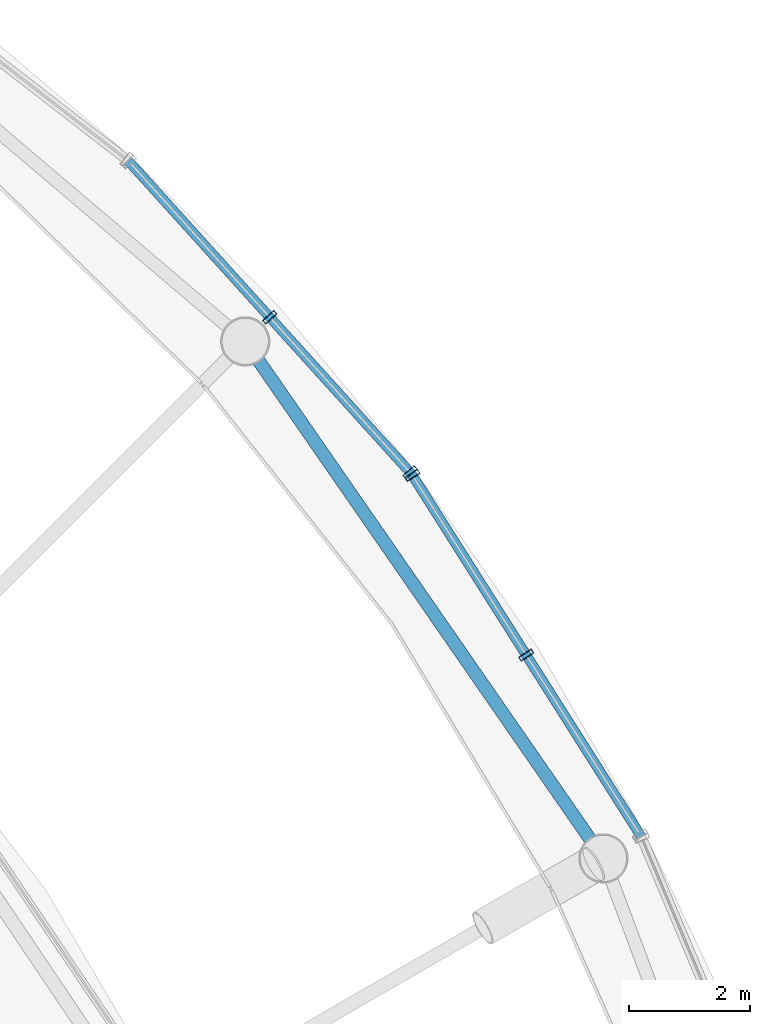
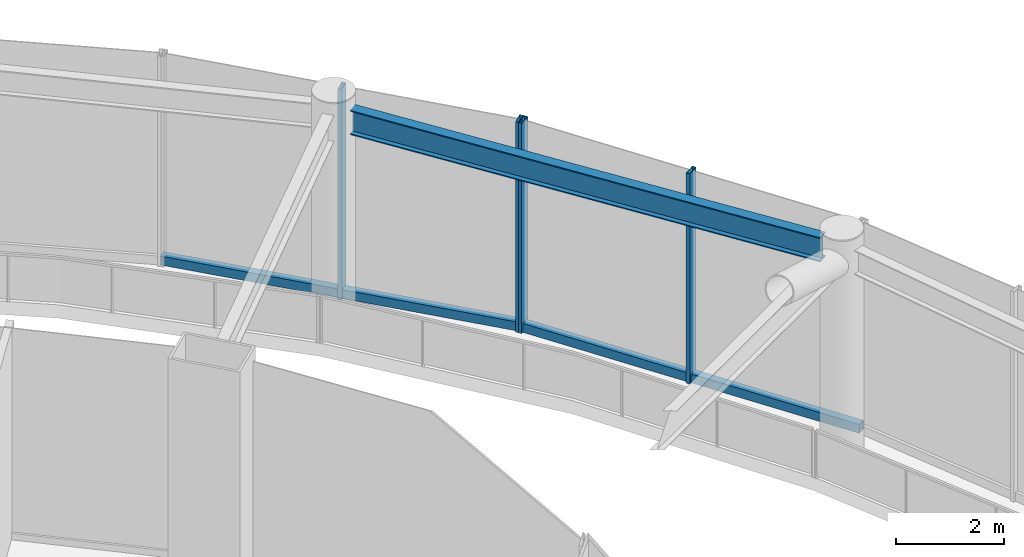
# One storey, part 40 of 52: 6 members, 1 beam, 2 elements without a shape of their own.
"""IFC4 building model written with IfcOpenShell, lengths in metres."""

from ifc_helpers import new_model, si_unit, direction, frame, origin, origin_2d, place, context, subcontext, project, spatial, hollow_rectangle, i_section, extrude, material, layer, layer_set, material_profile, profile_set, type_object, element, aggregate, save


model = new_model("IFC4")

# Units and contexts
model_context = context("Model", 3, precision=1e-05, world=origin(), true_north=direction((0.0, 1.0)))
body_context = subcontext(model_context, "Body", "Model", "MODEL_VIEW")
ifc_project = project(units=[si_unit("LENGTHUNIT", "METRE"), si_unit("AREAUNIT", "SQUARE_METRE"), si_unit("VOLUMEUNIT", "CUBIC_METRE"), si_unit("PLANEANGLEUNIT", "RADIAN"), si_unit("MASSUNIT", "GRAM", prefix="KILO")], contexts=[model_context])

# Site, building, storey
site_placement = place(None, origin())
site = spatial("IfcSite", under=ifc_project, at=site_placement, CompositionType="ELEMENT")
building_placement = place(site_placement, origin())
building = spatial("IfcBuilding", under=site, at=building_placement, Name="Nagisa Residences", CompositionType="ELEMENT")
storey_placement = place(building_placement, frame((0.0, 0.0, 22.0)))
storey = spatial("IfcBuildingStorey", under=building, at=storey_placement, Name="L04", CompositionType="ELEMENT", Elevation=22.0)

# Beam
ifc_material_1 = material(Name="Steel ASTM A572 Gr 50", Category="steel")
ifc_material_profile_1 = material_profile(ifc_material_1, i_section(OverallWidth=0.214111328125, OverallDepth=0.549072265625, WebThickness=0.0146484375, FlangeThickness=0.023681640625, at=origin_2d()), Name="W530x138")
ifc_profile_set_1 = profile_set([ifc_material_profile_1], Name="Steel ASTM A572 Gr 50")
beam_type = type_object("IfcBeamType", Name="Atrium ring beam W530x138", PredefinedType="BEAM", material=ifc_profile_set_1)
beam_placement = place(storey_placement, frame((35.595947265625, 20.917724609375, 4.4755859375), z_axis=(-0.569488756983, 0.821999121453, 0.0), x_axis=(-0.821999121453, -0.569488756983, 0.0)))
element("IfcBeam", 1, at=beam_placement, inside=storey, type_object=beam_type, Name="beam:L04:rab03", PredefinedType="BEAM", context=body_context, shape_type="SweptSolid", body=[
    extrude(i_section(OverallWidth=0.214111328125, OverallDepth=0.549072265625, WebThickness=0.0146484375, FlangeThickness=0.023681640625, at=origin_2d()), origin(), (0.0, 0.0, 1.0), 9.607666015625),
])

# Curtain wall, members
ifc_material_2 = material(Name="Stainless steel curtain wall system", Category="steel")
ifc_layer = layer(ifc_material_2, 0.159912109375)
ifc_layer_set = layer_set([ifc_layer], Name="CW3 CURTAIN WALL")
curtain_wall_type = type_object("IfcCurtainWallType", Name="CW3 CURTAIN WALL", PredefinedType="NOTDEFINED", material=ifc_layer_set)
curtain_wall_1_placement = place(storey_placement, origin())
curtain_wall_1 = element("IfcCurtainWall", 2, at=curtain_wall_1_placement, inside=storey, type_object=curtain_wall_type, Name="cw:CW3:L04:03", PredefinedType="NOTDEFINED")
ifc_material_3 = material(Name="Stainless steel", Category="steel")
ifc_material_profile_2 = material_profile(ifc_material_3, hollow_rectangle(XDim=0.25, YDim=0.080078125, WallThickness=0.008056640625, at=origin_2d()), Name="CW3 MULLION 250x80")
ifc_profile_set_2 = profile_set([ifc_material_profile_2], Name="Stainless steel")
member_type_1 = type_object("IfcMemberType", Name="CW3 MULLION 250x80", PredefinedType="MULLION", material=ifc_profile_set_2)
member_1_placement = place(storey_placement, frame((34.541748046875, 23.955810546875, 0.0), z_axis=(0.0, 0.0, 1.0), x_axis=(-0.844747368001, -0.535165286856, 0.0)))
member_1 = element("IfcMember", 3, at=member_1_placement, type_object=member_type_1, Name="CW3 mullion", PredefinedType="MULLION", context=body_context, shape_type="SweptSolid", body=[
    extrude(hollow_rectangle(XDim=0.25, YDim=0.080078125, WallThickness=0.008056640625, at=origin_2d()), origin(), (0.0, 0.0, 1.0), 4.739990234375),
])
member_2_placement = place(storey_placement, frame((32.66357421875, 26.92041015625, 0.0), z_axis=(0.0, 0.0, 1.0), x_axis=(-0.844747368001, -0.535165286856, 0.0)))
member_2 = element("IfcMember", 4, at=member_2_placement, type_object=member_type_1, Name="CW3 mullion", PredefinedType="MULLION", context=body_context, shape_type="SweptSolid", body=[
    extrude(hollow_rectangle(XDim=0.25, YDim=0.080078125, WallThickness=0.008056640625, at=origin_2d()), origin(), (0.0, 0.0, 1.0), 4.739990234375),
])

curtain_wall_2_placement = place(storey_placement, origin())
curtain_wall_2 = element("IfcCurtainWall", 5, at=curtain_wall_2_placement, inside=storey, type_object=curtain_wall_type, Name="cw:CW3:L04:04", PredefinedType="NOTDEFINED")
member_3_placement = place(storey_placement, frame((32.62353515625, 26.97314453125, 0.0), z_axis=(0.0, 0.0, 1.0), x_axis=(-0.741535779122, -0.670913323971, 0.0)))
member_3 = element("IfcMember", 6, at=member_3_placement, type_object=member_type_1, Name="CW3 mullion", PredefinedType="MULLION", context=body_context, shape_type="SweptSolid", body=[
    extrude(hollow_rectangle(XDim=0.25, YDim=0.080078125, WallThickness=0.008056640625, at=origin_2d()), origin(), (0.0, 0.0, 1.0), 4.739990234375),
])
member_4_placement = place(storey_placement, frame((30.30859375, 29.53173828125, 0.0), z_axis=(0.0, 0.0, 1.0), x_axis=(-0.741535779122, -0.670913323971, 0.0)))
member_4 = element("IfcMember", 7, at=member_4_placement, type_object=member_type_1, Name="CW3 mullion", PredefinedType="MULLION", context=body_context, shape_type="SweptSolid", body=[
    extrude(hollow_rectangle(XDim=0.25, YDim=0.080078125, WallThickness=0.008056640625, at=origin_2d()), origin(), (0.0, 0.0, 1.0), 4.739990234375),
])

# Member
ifc_material_4 = material(Name="Stainless steel", Category="steel")
ifc_material_profile_3 = material_profile(ifc_material_4, hollow_rectangle(XDim=0.159912109375, YDim=0.199951171875, WallThickness=0.008056640625, at=origin_2d()), Name="CW3 TRANSOM 160x200")
ifc_profile_set_3 = profile_set([ifc_material_profile_3], Name="Stainless steel")
member_type_2 = type_object("IfcMemberType", Name="CW3 TRANSOM 160x200", PredefinedType="USERDEFINED", material=ifc_profile_set_3)
member_5_placement = place(storey_placement, frame((36.44140625, 20.957275390625, 0.10009765625), z_axis=(-0.535169889444, 0.844744452147, 0.0), x_axis=(-0.844744452147, -0.535169889444, 0.0)))
member_5 = element("IfcMember", 8, at=member_5_placement, type_object=member_type_2, Name="CW3 transom", ObjectType="TRANSOM", PredefinedType="USERDEFINED", context=body_context, shape_type="SweptSolid", body=[
    extrude(hollow_rectangle(XDim=0.159912109375, YDim=0.199951171875, WallThickness=0.008056640625, at=origin_2d()), origin(), (0.0, 0.0, 1.0), 7.099365234375),
])

aggregate(curtain_wall_1, [member_1, member_2, member_5])

member_6_placement = place(storey_placement, frame((32.650390625, 26.943359375, 0.10009765625), z_axis=(-0.670921565259, 0.741528322635, 0.0), x_axis=(-0.741528322635, -0.670921565259, 0.0)))
member_6 = element("IfcMember", 9, at=member_6_placement, type_object=member_type_2, Name="CW3 transom", ObjectType="TRANSOM", PredefinedType="USERDEFINED", context=body_context, shape_type="SweptSolid", body=[
    extrude(hollow_rectangle(XDim=0.159912109375, YDim=0.199951171875, WallThickness=0.008056640625, at=origin_2d()), origin(), (0.0, 0.0, 1.0), 6.981201171875),
])

aggregate(curtain_wall_2, [member_3, member_4, member_6])

save(model, "model.ifc")
